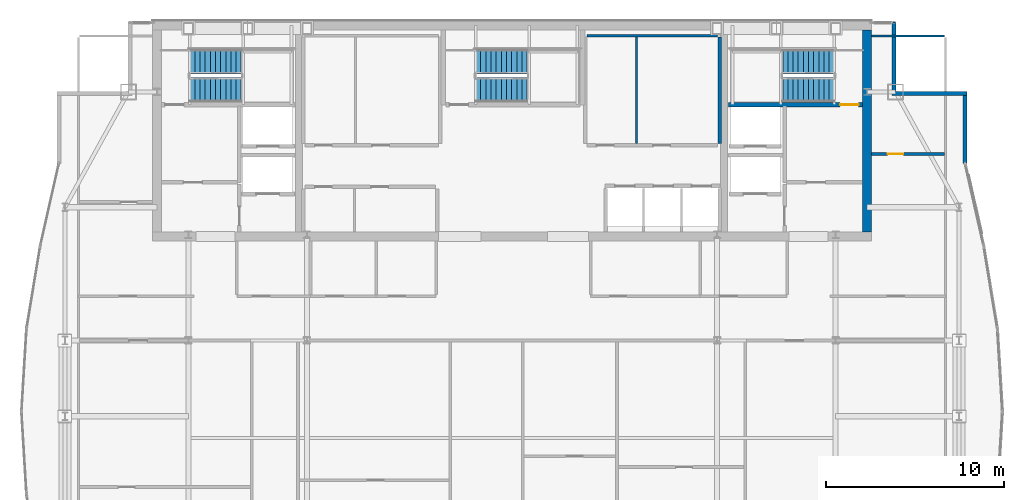
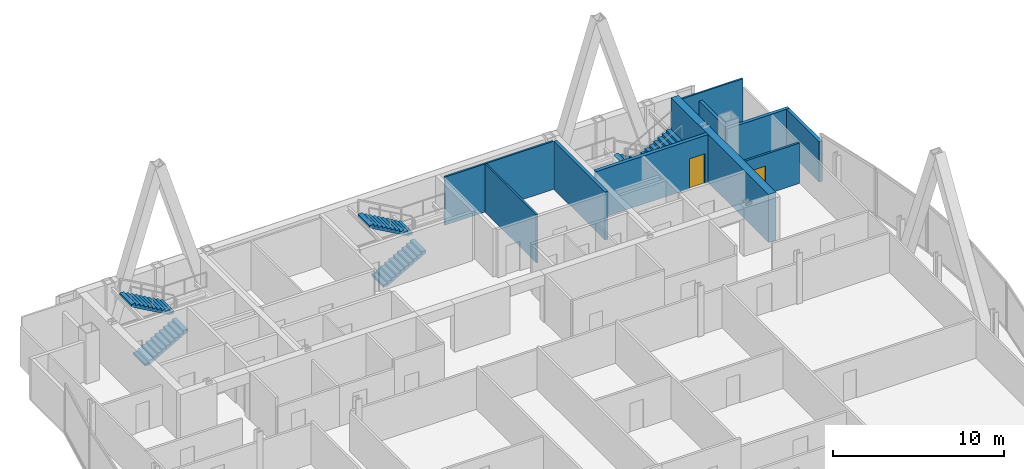
# One storey, part 29 of 31: 10 walls, 6 stair flights, 2 doors, 2 openings, 3 elements without a shape of their own.
"""IFC4 building model written with IfcOpenShell, lengths in metres."""

from ifc_helpers import new_model, si_unit, direction, frame, frame_2d, origin, place, context, subcontext, project, spatial, polyline, rectangle, outline, extrude, material, layer, layer_set, type_object, element, fill, aggregate, save


model = new_model("IFC4")

# Units and contexts
model_context = context("Model", 3, precision=1e-05, world=origin(), true_north=direction((0.0, 1.0)))
body_context = subcontext(model_context, "Body", "Model", "MODEL_VIEW")
ifc_project = project(units=[si_unit("LENGTHUNIT", "METRE"), si_unit("AREAUNIT", "SQUARE_METRE"), si_unit("VOLUMEUNIT", "CUBIC_METRE"), si_unit("PLANEANGLEUNIT", "RADIAN"), si_unit("MASSUNIT", "GRAM", prefix="KILO")], contexts=[model_context])

# Site, building, storey
site_placement = place(None, origin())
site = spatial("IfcSite", under=ifc_project, at=site_placement, CompositionType="ELEMENT")
building_placement = place(site_placement, origin())
building = spatial("IfcBuilding", under=site, at=building_placement, Name="Khoronbel Lancet Exchange", CompositionType="ELEMENT")
storey_placement = place(building_placement, frame((0.0, 0.0, 325.39990234375)))
storey = spatial("IfcBuildingStorey", under=building, at=storey_placement, Name="L84", CompositionType="ELEMENT", Elevation=325.39990234375)

# Walls
ifc_material_1 = material(Name="Concrete C60/75", Category="concrete")
ifc_layer_1 = layer(ifc_material_1, 0.5, Name="Concrete C60/75")
ifc_layer_set_1 = layer_set([ifc_layer_1], Name="Concrete C60/75")
wall_type_1 = type_object("IfcWallType", Name="WL-CW4", PredefinedType="SHEAR", material=ifc_layer_set_1)
wall_1_placement = place(storey_placement, frame((56.449951171875, 53.199951171875, 0.0), z_axis=(0.0, 0.0, 1.0), x_axis=(0.0, -1.0, 0.0)))
element("IfcWall", 1, at=wall_1_placement, inside=storey, type_object=wall_type_1, Name="Level L84 rear core east shear wall", PredefinedType="SHEAR", context=body_context, shape_type="SweptSolid", body=[
    extrude(rectangle(XDim=11.39990234375, YDim=0.5, at=frame_2d((5.699951171875, 0.0))), origin(), (0.0, 0.0, 1.0), 3.440185546875),
])
ifc_material_2 = material(Name="Precast concrete C40/50", Category="concrete")
ifc_layer_2 = layer(ifc_material_2, 0.25, Name="Precast concrete C40/50")
ifc_layer_set_2 = layer_set([ifc_layer_2], Name="Precast concrete C40/50")
wall_type_2 = type_object("IfcWallType", Name="WL-EXT250", PredefinedType="SOLIDWALL", material=ifc_layer_set_2)
wall_2_placement = place(storey_placement, frame((57.9599609375, 53.6298828125, 0.0), z_axis=(0.0, 0.0, 1.0), x_axis=(0.0, -1.0, 0.0)))
element("IfcWall", 2, at=wall_2_placement, inside=storey, type_object=wall_type_2, Name="Level L84 notched-corner limestone pier 14", PredefinedType="SOLIDWALL", context=body_context, shape_type="SweptSolid", body=[
    extrude(rectangle(XDim=3.909912109375, YDim=0.219970703125, at=frame_2d((1.955078125, 0.0))), origin(), (0.0, 0.0, 1.0), 2.880126953125),
])
wall_3_placement = place(storey_placement, frame((57.85009765625, 49.610107421875, 0.0), z_axis=(0.0, 0.0, 1.0), x_axis=(1.0, 0.0, 0.0)))
element("IfcWall", 3, at=wall_3_placement, inside=storey, type_object=wall_type_2, Name="Level L84 notched-corner limestone pier 15", PredefinedType="SOLIDWALL", context=body_context, shape_type="SweptSolid", body=[
    extrude(rectangle(XDim=4.219970703125, YDim=0.219970703125, at=frame_2d((2.10986328125, 0.0))), origin(), (0.0, 0.0, 1.0), 2.880126953125),
])
wall_4_placement = place(storey_placement, frame((61.9599609375, 49.5, 0.0), z_axis=(0.0, 0.0, 1.0), x_axis=(0.0, -1.0, 0.0)))
element("IfcWall", 4, at=wall_4_placement, inside=storey, type_object=wall_type_2, Name="Level L84 notched-corner limestone pier 16", PredefinedType="SOLIDWALL", context=body_context, shape_type="SweptSolid", body=[
    extrude(rectangle(XDim=3.830078125, YDim=0.219970703125, at=frame_2d((1.9150390625, 0.0))), origin(), (0.0, 0.0, 1.0), 2.880126953125),
])

# Wall, opening, door
ifc_material_3 = material(Name="Acoustic Metal-Stud & Mineral-Wool Gypsum Partition 120 mm", Category="gypsum")
ifc_layer_3 = layer(ifc_material_3, 0.1201171875, Name="Acoustic Metal-Stud & Mineral-Wool Gypsum Partition 120 mm")
ifc_layer_set_3 = layer_set([ifc_layer_3], Name="Acoustic Metal-Stud & Mineral-Wool Gypsum Partition 120 mm")
wall_type_3 = type_object("IfcWallType", Name="WL-PRT120", PredefinedType="PARTITIONING", material=ifc_layer_set_3)
wall_5_placement = place(storey_placement, frame((56.699951171875, 46.199951171875, 0.0), z_axis=(0.0, 0.0, 1.0), x_axis=(1.0, 0.0, 0.0)))
wall_5 = element("IfcWall", 5, at=wall_5_placement, inside=storey, type_object=wall_type_3, Name="Level L84 interior partition PW-NE-H", PredefinedType="PARTITIONING", context=body_context, shape_type="SweptSolid", body=[
    extrude(rectangle(XDim=4.10498046875, YDim=0.14990234375, at=frame_2d((2.052490234375, 0.0))), origin(), (0.0, 0.0, 1.0), 2.880126953125),
])
opening_1_placement = place(wall_5_placement, frame((0.89990234375, 0.0, 0.0)))
opening_1 = element("IfcOpeningElement", 6, at=opening_1_placement, cuts=wall_5, Name="Opening D5", PredefinedType="OPENING", context=body_context, shape_type="SweptSolid", body=[
    extrude(rectangle(XDim=0.89990234375, YDim=2.050048828125, at=frame_2d((0.449951171875, 1.02490234375))), frame((0.0, 0.0849609375, 0.0), z_axis=(0.0, -1.0, 0.0), x_axis=(1.0, 0.0, 0.0)), (0.0, 0.0, 1.0), 0.169921875),
])
ifc_material_4 = material(Name="Acoustic Timber Pantry & Support Door", Category="wood")
door_type_1 = type_object("IfcDoorType", Name="DR-D5", OperationType="NOTDEFINED", PredefinedType="DOOR", material=ifc_material_4)
door_1_placement = place(opening_1_placement, origin())
door_1 = element("IfcDoor", 7, at=door_1_placement, inside=storey, type_object=door_type_1, Name="NE north room door L84-1", OperationType="SINGLE_SWING_LEFT", OverallHeight=2.050048828125, OverallWidth=0.89990234375, PredefinedType="DOOR", context=body_context, shape_type="SweptSolid", body=[
    extrude(rectangle(XDim=0.89990234375, YDim=2.050048828125, at=frame_2d((0.449951171875, 1.02490234375))), frame((0.0, 0.02490234375, 0.0), z_axis=(0.0, -1.0, 0.0), x_axis=(1.0, 0.0, 0.0)), (0.0, 0.0, 1.0), 0.050048828125),
])
fill(opening_1, door_1)

# Walls
wall_6_placement = place(storey_placement, frame((56.699951171875, 52.840087890625, 0.0), z_axis=(0.0, 0.0, 1.0), x_axis=(1.0, 0.0, 0.0)))
element("IfcWall", 8, at=wall_6_placement, inside=storey, type_object=wall_type_3, Name="Level L84 interior partition PW-LIN-NE", PredefinedType="PARTITIONING", context=body_context, shape_type="SweptSolid", body=[
    extrude(rectangle(XDim=4.10498046875, YDim=0.1201171875, at=frame_2d((2.052490234375, 0.0))), origin(), (0.0, 0.0, 1.0), 3.440185546875),
])
ifc_material_5 = material(Name="Fire-Rated Metal-Stud & Mineral-Wool Gypsum Partition 120 mm", Category="gypsum")
ifc_layer_4 = layer(ifc_material_5, 0.1201171875, Name="Fire-Rated Metal-Stud & Mineral-Wool Gypsum Partition 120 mm")
ifc_layer_set_4 = layer_set([ifc_layer_4], Name="Fire-Rated Metal-Stud & Mineral-Wool Gypsum Partition 120 mm")
wall_type_4 = type_object("IfcWallType", Name="WL-PRT120F", PredefinedType="PARTITIONING", material=ifc_layer_set_4)
wall_7_placement = place(storey_placement, frame((40.68505859375, 52.860107421875, 0.0), z_axis=(0.0, 0.0, 1.0), x_axis=(1.0, 0.0, 0.0)))
element("IfcWall", 9, at=wall_7_placement, inside=storey, type_object=wall_type_4, Name="Level L84 interior partition CW-PH-RN", PredefinedType="PARTITIONING", context=body_context, shape_type="SweptSolid", body=[
    extrude(rectangle(XDim=7.349853515625, YDim=0.1201171875, at=frame_2d((3.6748046875, 0.0))), origin(), (0.0, 0.0, 1.0), 3.440185546875),
])
wall_8_placement = place(storey_placement, frame((43.452880859375, 46.804931640625, 0.0), z_axis=(0.0, 0.0, 1.0), x_axis=(0.0, 1.0, 0.0)))
element("IfcWall", 10, at=wall_8_placement, inside=storey, type_object=wall_type_4, Name="Level L84 interior partition CW-PH-RS1", PredefinedType="PARTITIONING", context=body_context, shape_type="SweptSolid", body=[
    extrude(rectangle(XDim=5.989990234375, YDim=0.1201171875, at=frame_2d((2.9951171875, 0.0))), origin(), (0.0, 0.0, 1.0), 3.440185546875),
])
ifc_material_6 = material(Name="Autoclaved Aerated Concrete Blockwork 200 mm", Category="masonry")
ifc_layer_5 = layer(ifc_material_6, 0.199951171875, Name="Autoclaved Aerated Concrete Blockwork 200 mm")
ifc_layer_set_5 = layer_set([ifc_layer_5], Name="Autoclaved Aerated Concrete Blockwork 200 mm")
wall_type_5 = type_object("IfcWallType", Name="WL-PRT200", PredefinedType="PARTITIONING", material=ifc_layer_set_5)
wall_9_placement = place(storey_placement, frame((48.139892578125, 46.804931640625, 0.0), z_axis=(0.0, 0.0, 1.0), x_axis=(0.0, 1.0, 0.0)))
element("IfcWall", 11, at=wall_9_placement, inside=storey, type_object=wall_type_5, Name="Level L84 interior partition CW-PH-RE", PredefinedType="PARTITIONING", context=body_context, shape_type="SweptSolid", body=[
    extrude(rectangle(XDim=5.989990234375, YDim=0.199951171875, at=frame_2d((2.9951171875, 0.0))), origin(), (0.0, 0.0, 1.0), 3.440185546875),
])

# Wall, opening, door
ifc_layer_6 = layer(ifc_material_1, 0.260009765625, Name="Concrete C60/75")
ifc_layer_set_6 = layer_set([ifc_layer_6], Name="Concrete C60/75")
wall_type_6 = type_object("IfcWallType", Name="WL-SW3", PredefinedType="SHEAR", material=ifc_layer_set_6)
wall_10_placement = place(storey_placement, frame((48.6298828125, 48.97998046875, 0.0), z_axis=(0.0, 0.0, 1.0), x_axis=(1.0, 0.0, 0.0)))
wall_10 = element("IfcWall", 12, at=wall_10_placement, inside=storey, type_object=wall_type_6, Name="Level L84 east stairwell structural south wall", PredefinedType="SHEAR", context=body_context, shape_type="SweptSolid", body=[
    extrude(rectangle(XDim=7.570068359375, YDim=0.239990234375, at=frame_2d((3.78515625, 0.0))), origin(), (0.0, 0.0, 1.0), 3.440185546875),
])
opening_2_placement = place(wall_10_placement, frame((6.300048828125, 0.0, 0.0)))
opening_2 = element("IfcOpeningElement", 13, at=opening_2_placement, cuts=wall_10, Name="Opening SD1", PredefinedType="OPENING", context=body_context, shape_type="SweptSolid", body=[
    extrude(rectangle(XDim=1.050048828125, YDim=2.14990234375, at=frame_2d((0.52490234375, 1.074951171875))), frame((0.0, 0.1298828125, 0.0), z_axis=(0.0, -1.0, 0.0), x_axis=(1.0, 0.0, 0.0)), (0.0, 0.0, 1.0), 0.260009765625),
])
ifc_material_7 = material(Name="Fire-Rated Steel Stairwell Door Assembly", Category="steel")
door_type_2 = type_object("IfcDoorType", Name="DR-SD1", OperationType="NOTDEFINED", PredefinedType="DOOR", material=ifc_material_7)
door_2_placement = place(opening_2_placement, origin())
door_2 = element("IfcDoor", 14, at=door_2_placement, inside=storey, type_object=door_type_2, Name="Protected exit stair ST2 door L84", OperationType="SINGLE_SWING_RIGHT", OverallHeight=2.14990234375, OverallWidth=1.050048828125, PredefinedType="DOOR", context=body_context, shape_type="SweptSolid", body=[
    extrude(rectangle(XDim=1.050048828125, YDim=2.14990234375, at=frame_2d((0.52490234375, 1.074951171875))), frame((0.0, 0.02490234375, 0.0), z_axis=(0.0, -1.0, 0.0), x_axis=(1.0, 0.0, 0.0)), (0.0, 0.0, 1.0), 0.050048828125),
])
fill(opening_2, door_2)

# Stair, stair flights
ifc_material_8 = material(Name="Concrete C40/50", Category="concrete")
stair_type = type_object("IfcStairType", Name="STR-CORE150", PredefinedType="HALF_TURN_STAIR", material=ifc_material_8)
stair_1_placement = place(storey_placement, origin())
stair_1 = element("IfcStair", 15, at=stair_1_placement, inside=storey, type_object=stair_type, Name="L84 Protected Exit Stair ST1", PredefinedType="HALF_TURN_STAIR")
stair_flight_type = type_object("IfcStairFlightType", Name="STF-150", PredefinedType="STRAIGHT", material=ifc_material_8)
stair_flight_1_placement = place(storey_placement, frame((18.300048828125, 49.81005859375, 0.0), z_axis=(0.0, 0.0, 1.0), x_axis=(1.0, 0.0, 0.0)))
stair_flight_1 = element("IfcStairFlight", 16, at=stair_flight_1_placement, type_object=stair_flight_type, Name="ST1 flight 1", NumberOfRisers=11, NumberOfTreads=10, PredefinedType="STRAIGHT", RiserHeight=0.163636364, TreadLength=0.29, context=body_context, shape_type="SweptSolid", body=[
    extrude(outline(polyline([(0.0, 0.0), (0.0, 0.16357421875), (0.2900390625, 0.16357421875), (0.2900390625, 0.327392578125), (0.580078125, 0.327392578125), (0.580078125, 0.490966796875), (0.8701171875, 0.490966796875), (0.8701171875, 0.654541015625), (1.159912109375, 0.654541015625), (1.159912109375, 0.818115234375), (1.449951171875, 0.818115234375), (1.449951171875, 0.98193359375), (1.739990234375, 0.98193359375), (1.739990234375, 1.1455078125), (2.030029296875, 1.1455078125), (2.030029296875, 1.30908203125), (2.320068359375, 1.30908203125), (2.320068359375, 1.47265625), (2.610107421875, 1.47265625), (2.610107421875, 1.636474609375), (2.89990234375, 1.636474609375), (2.89990234375, 1.800048828125), (2.89990234375, 1.46435546875), (0.304931640625, 0.0), (0.0, 0.0)])), frame((0.0, 0.68994140625, 0.0), z_axis=(0.0, -1.0, 0.0), x_axis=(1.0, 0.0, 0.0)), (0.0, 0.0, 1.0), 1.3798828125),
])
stair_flight_2_placement = place(storey_placement, frame((21.199951171875, 51.409912109375, 1.800048828125), z_axis=(0.0, 0.0, 1.0), x_axis=(-1.0, 0.0, 0.0)))
stair_flight_2 = element("IfcStairFlight", 17, at=stair_flight_2_placement, type_object=stair_flight_type, Name="ST1 flight 2", NumberOfRisers=11, NumberOfTreads=10, PredefinedType="STRAIGHT", RiserHeight=0.163636364, TreadLength=0.29, context=body_context, shape_type="SweptSolid", body=[
    extrude(outline(polyline([(0.0, 0.0), (0.0, 0.16357421875), (0.2900390625, 0.16357421875), (0.2900390625, 0.327392578125), (0.580078125, 0.327392578125), (0.580078125, 0.490966796875), (0.8701171875, 0.490966796875), (0.8701171875, 0.654541015625), (1.159912109375, 0.654541015625), (1.159912109375, 0.818115234375), (1.449951171875, 0.818115234375), (1.449951171875, 0.98193359375), (1.739990234375, 0.98193359375), (1.739990234375, 1.1455078125), (2.030029296875, 1.1455078125), (2.030029296875, 1.30908203125), (2.320068359375, 1.30908203125), (2.320068359375, 1.47265625), (2.610107421875, 1.47265625), (2.610107421875, 1.636474609375), (2.89990234375, 1.636474609375), (2.89990234375, 1.800048828125), (2.89990234375, 1.46435546875), (0.304931640625, 0.0), (0.0, 0.0)])), frame((0.0, 0.68994140625, 0.0), z_axis=(0.0, -1.0, 0.0), x_axis=(1.0, 0.0, 0.0)), (0.0, 0.0, 1.0), 1.3798828125),
])
aggregate(stair_1, [stair_flight_1, stair_flight_2])

stair_2_placement = place(storey_placement, origin())
stair_2 = element("IfcStair", 18, at=stair_2_placement, inside=storey, type_object=stair_type, Name="L84 Protected Exit Stair ST2", PredefinedType="HALF_TURN_STAIR")
stair_flight_3_placement = place(storey_placement, frame((54.60009765625, 51.409912109375, 0.0), z_axis=(0.0, 0.0, 1.0), x_axis=(-1.0, 0.0, 0.0)))
stair_flight_3 = element("IfcStairFlight", 19, at=stair_flight_3_placement, type_object=stair_flight_type, Name="ST2 flight 1", NumberOfRisers=11, NumberOfTreads=10, PredefinedType="STRAIGHT", RiserHeight=0.163636364, TreadLength=0.29, context=body_context, shape_type="SweptSolid", body=[
    extrude(outline(polyline([(0.0, 0.0), (0.0, 0.16357421875), (0.2900390625, 0.16357421875), (0.2900390625, 0.327392578125), (0.580078125, 0.327392578125), (0.580078125, 0.490966796875), (0.8701171875, 0.490966796875), (0.8701171875, 0.654541015625), (1.159912109375, 0.654541015625), (1.159912109375, 0.818115234375), (1.449951171875, 0.818115234375), (1.449951171875, 0.98193359375), (1.739990234375, 0.98193359375), (1.739990234375, 1.1455078125), (2.030029296875, 1.1455078125), (2.030029296875, 1.30908203125), (2.320068359375, 1.30908203125), (2.320068359375, 1.47265625), (2.610107421875, 1.47265625), (2.610107421875, 1.636474609375), (2.89990234375, 1.636474609375), (2.89990234375, 1.800048828125), (2.89990234375, 1.46435546875), (0.304931640625, 0.0), (0.0, 0.0)])), frame((0.0, 0.68994140625, 0.0), z_axis=(0.0, -1.0, 0.0), x_axis=(1.0, 0.0, 0.0)), (0.0, 0.0, 1.0), 1.3798828125),
])
stair_flight_4_placement = place(storey_placement, frame((51.699951171875, 49.81005859375, 1.800048828125), z_axis=(0.0, 0.0, 1.0), x_axis=(1.0, 0.0, 0.0)))
stair_flight_4 = element("IfcStairFlight", 20, at=stair_flight_4_placement, type_object=stair_flight_type, Name="ST2 flight 2", NumberOfRisers=11, NumberOfTreads=10, PredefinedType="STRAIGHT", RiserHeight=0.163636364, TreadLength=0.29, context=body_context, shape_type="SweptSolid", body=[
    extrude(outline(polyline([(0.0, 0.0), (0.0, 0.16357421875), (0.2900390625, 0.16357421875), (0.2900390625, 0.327392578125), (0.580078125, 0.327392578125), (0.580078125, 0.490966796875), (0.8701171875, 0.490966796875), (0.8701171875, 0.654541015625), (1.159912109375, 0.654541015625), (1.159912109375, 0.818115234375), (1.449951171875, 0.818115234375), (1.449951171875, 0.98193359375), (1.739990234375, 0.98193359375), (1.739990234375, 1.1455078125), (2.030029296875, 1.1455078125), (2.030029296875, 1.30908203125), (2.320068359375, 1.30908203125), (2.320068359375, 1.47265625), (2.610107421875, 1.47265625), (2.610107421875, 1.636474609375), (2.89990234375, 1.636474609375), (2.89990234375, 1.800048828125), (2.89990234375, 1.46435546875), (0.304931640625, 0.0), (0.0, 0.0)])), frame((0.0, 0.68994140625, 0.0), z_axis=(0.0, -1.0, 0.0), x_axis=(1.0, 0.0, 0.0)), (0.0, 0.0, 1.0), 1.3798828125),
])
aggregate(stair_2, [stair_flight_3, stair_flight_4])

stair_3_placement = place(storey_placement, origin())
stair_3 = element("IfcStair", 21, at=stair_3_placement, inside=storey, type_object=stair_type, Name="L84 Protected Exit Stair ST3", PredefinedType="HALF_TURN_STAIR")
stair_flight_5_placement = place(storey_placement, frame((34.39990234375, 49.81005859375, 0.0), z_axis=(0.0, 0.0, 1.0), x_axis=(1.0, 0.0, 0.0)))
stair_flight_5 = element("IfcStairFlight", 22, at=stair_flight_5_placement, type_object=stair_flight_type, Name="ST3 flight 1", NumberOfRisers=11, NumberOfTreads=10, PredefinedType="STRAIGHT", RiserHeight=0.163636364, TreadLength=0.29, context=body_context, shape_type="SweptSolid", body=[
    extrude(outline(polyline([(0.0, 0.0), (0.0, 0.16357421875), (0.2900390625, 0.16357421875), (0.2900390625, 0.327392578125), (0.580078125, 0.327392578125), (0.580078125, 0.490966796875), (0.8701171875, 0.490966796875), (0.8701171875, 0.654541015625), (1.159912109375, 0.654541015625), (1.159912109375, 0.818115234375), (1.449951171875, 0.818115234375), (1.449951171875, 0.98193359375), (1.739990234375, 0.98193359375), (1.739990234375, 1.1455078125), (2.030029296875, 1.1455078125), (2.030029296875, 1.30908203125), (2.320068359375, 1.30908203125), (2.320068359375, 1.47265625), (2.610107421875, 1.47265625), (2.610107421875, 1.636474609375), (2.89990234375, 1.636474609375), (2.89990234375, 1.800048828125), (2.89990234375, 1.46435546875), (0.304931640625, 0.0), (0.0, 0.0)])), frame((0.0, 0.68994140625, 0.0), z_axis=(0.0, -1.0, 0.0), x_axis=(1.0, 0.0, 0.0)), (0.0, 0.0, 1.0), 1.3798828125),
])
stair_flight_6_placement = place(storey_placement, frame((37.300048828125, 51.409912109375, 1.800048828125), z_axis=(0.0, 0.0, 1.0), x_axis=(-1.0, 0.0, 0.0)))
stair_flight_6 = element("IfcStairFlight", 23, at=stair_flight_6_placement, type_object=stair_flight_type, Name="ST3 flight 2", NumberOfRisers=11, NumberOfTreads=10, PredefinedType="STRAIGHT", RiserHeight=0.163636364, TreadLength=0.29, context=body_context, shape_type="SweptSolid", body=[
    extrude(outline(polyline([(0.0, 0.0), (0.0, 0.16357421875), (0.2900390625, 0.16357421875), (0.2900390625, 0.327392578125), (0.580078125, 0.327392578125), (0.580078125, 0.490966796875), (0.8701171875, 0.490966796875), (0.8701171875, 0.654541015625), (1.159912109375, 0.654541015625), (1.159912109375, 0.818115234375), (1.449951171875, 0.818115234375), (1.449951171875, 0.98193359375), (1.739990234375, 0.98193359375), (1.739990234375, 1.1455078125), (2.030029296875, 1.1455078125), (2.030029296875, 1.30908203125), (2.320068359375, 1.30908203125), (2.320068359375, 1.47265625), (2.610107421875, 1.47265625), (2.610107421875, 1.636474609375), (2.89990234375, 1.636474609375), (2.89990234375, 1.800048828125), (2.89990234375, 1.46435546875), (0.304931640625, 0.0), (0.0, 0.0)])), frame((0.0, 0.68994140625, 0.0), z_axis=(0.0, -1.0, 0.0), x_axis=(1.0, 0.0, 0.0)), (0.0, 0.0, 1.0), 1.3798828125),
])
aggregate(stair_3, [stair_flight_5, stair_flight_6])

save(model, "model.ifc")
